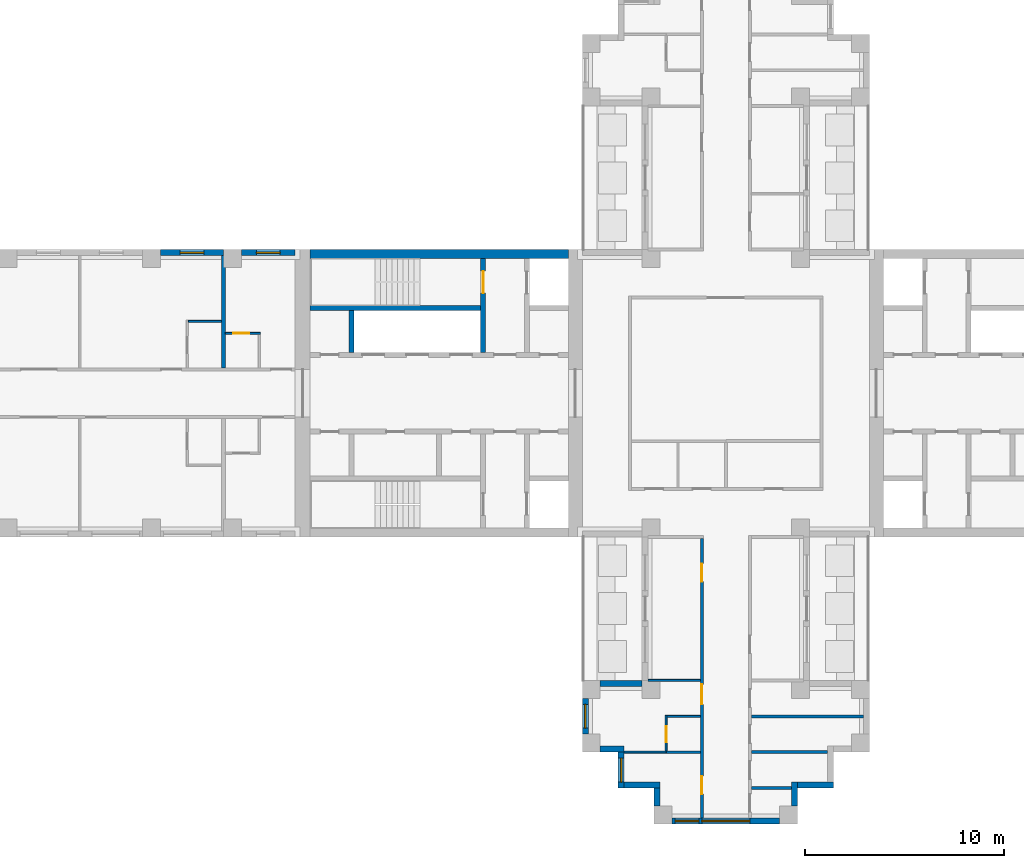
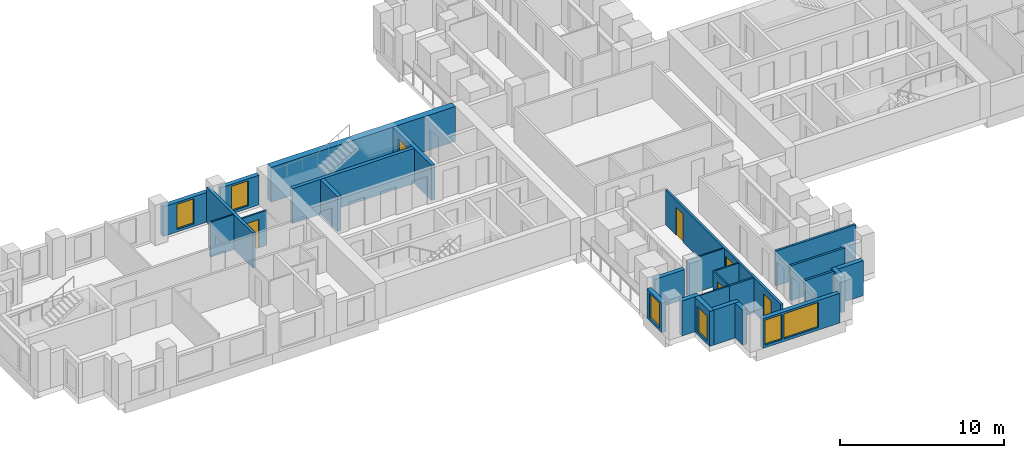
# One storey, part 4 of 11: 27 walls, 6 doors, 6 windows, 12 openings.
"""IFC4 building model written with IfcOpenShell, lengths in metres."""

from ifc_helpers import new_model, si_unit, direction, frame, frame_2d, origin, place, context, subcontext, project, spatial, rectangle, extrude, material, layer, layer_set, type_object, element, fill, save


model = new_model("IFC4")

# Units and contexts
model_context = context("Model", 3, precision=1e-05, world=origin(), true_north=direction((0.0, 1.0)))
body_context = subcontext(model_context, "Body", "Model", "MODEL_VIEW")
ifc_project = project(units=[si_unit("LENGTHUNIT", "METRE"), si_unit("AREAUNIT", "SQUARE_METRE"), si_unit("VOLUMEUNIT", "CUBIC_METRE"), si_unit("PLANEANGLEUNIT", "RADIAN"), si_unit("MASSUNIT", "GRAM", prefix="KILO")], contexts=[model_context])

# Site, building, storey
site_placement = place(None, origin())
site = spatial("IfcSite", under=ifc_project, at=site_placement, CompositionType="ELEMENT")
building_placement = place(site_placement, origin())
building = spatial("IfcBuilding", under=site, at=building_placement, Name="Fustian Cross Tower", CompositionType="ELEMENT")
storey_placement = place(building_placement, frame((0.0, 0.0, 126.300048828125)))
storey = spatial("IfcBuildingStorey", under=building, at=storey_placement, Name="L39", CompositionType="ELEMENT", Elevation=126.300048828125)

# Wall, openings, doors
ifc_material_1 = material(Name="Plasterboard on steel stud", Category="steel")
ifc_layer_1 = layer(ifc_material_1, 0.14990234375)
ifc_layer_set_1 = layer_set([ifc_layer_1], Name="Plasterboard on steel stud")
wall_type_1 = type_object("IfcWallType", Name="COMPARTMENT WALL 150 EI 60", PredefinedType="PARTITIONING", material=ifc_layer_set_1)
wall_1_placement = place(storey_placement, frame((-1.199951171875, -21.300048828125, 0.0), z_axis=(0.0, 0.0, 1.0), x_axis=(0.0, 1.0, 0.0)))
wall_1 = element("IfcWall", 1, at=wall_1_placement, inside=storey, type_object=wall_type_1, Name="Partition 32", PredefinedType="PARTITIONING", context=body_context, shape_type="SweptSolid", body=[
    extrude(rectangle(XDim=14.025146484375, YDim=0.14990234375, at=frame_2d((7.0126953125, 0.0))), origin(), (0.0, 0.0, 1.0), 2.599853515625),
])
opening_1_placement = place(wall_1_placement, frame((11.85009765625, 0.0, 0.0)))
opening_1 = element("IfcOpeningElement", 2, at=opening_1_placement, cuts=wall_1, Name="Opening D18038", PredefinedType="OPENING", context=body_context, shape_type="SweptSolid", body=[
    extrude(rectangle(XDim=0.89990234375, YDim=2.10009765625, at=frame_2d((0.449951171875, 1.050048828125))), frame((0.0, 0.0849609375, 0.0), z_axis=(0.0, -1.0, 0.0), x_axis=(1.0, 0.0, 0.0)), (0.0, 0.0, 1.0), 0.169921875),
])
opening_2_placement = place(wall_1_placement, frame((5.699951171875, 0.0, 0.0)))
opening_2 = element("IfcOpeningElement", 3, at=opening_2_placement, cuts=wall_1, Name="Opening D18040", PredefinedType="OPENING", context=body_context, shape_type="SweptSolid", body=[
    extrude(rectangle(XDim=1.0, YDim=2.10009765625, at=frame_2d((0.5, 1.050048828125))), frame((0.0, 0.0849609375, 0.0), z_axis=(0.0, -1.0, 0.0), x_axis=(1.0, 0.0, 0.0)), (0.0, 0.0, 1.0), 0.169921875),
])
opening_3_placement = place(wall_1_placement, frame((1.199951171875, 0.0, 0.0)))
opening_3 = element("IfcOpeningElement", 4, at=opening_3_placement, cuts=wall_1, Name="Opening D18041", PredefinedType="OPENING", context=body_context, shape_type="SweptSolid", body=[
    extrude(rectangle(XDim=0.89990234375, YDim=2.10009765625, at=frame_2d((0.449951171875, 1.050048828125))), frame((0.0, 0.0849609375, 0.0), z_axis=(0.0, -1.0, 0.0), x_axis=(1.0, 0.0, 0.0)), (0.0, 0.0, 1.0), 0.169921875),
])
ifc_material_2 = material(Name="Timber fire door set", Category="wood")
door_type_1 = type_object("IfcDoorType", Name="FIRE SWING DOOR 1000 FD30S", OperationType="SINGLE_SWING_LEFT", PredefinedType="DOOR", material=ifc_material_2)
door_1_placement = place(opening_2_placement, origin())
door_1 = element("IfcDoor", 5, at=door_1_placement, inside=storey, type_object=door_type_1, Name="Door D18040", OperationType="SINGLE_SWING_RIGHT", OverallHeight=2.10009765625, OverallWidth=1.0, PredefinedType="DOOR", context=body_context, shape_type="SweptSolid", body=[
    extrude(rectangle(XDim=1.0, YDim=2.10009765625, at=frame_2d((0.5, 1.050048828125))), frame((0.0, 0.02490234375, 0.0), z_axis=(0.0, -1.0, 0.0), x_axis=(1.0, 0.0, 0.0)), (0.0, 0.0, 1.0), 0.050048828125),
])
fill(opening_2, door_1)
ifc_material_3 = material(Name="Timber fire door set", Category="wood")
door_type_2 = type_object("IfcDoorType", Name="FIRE SWING DOOR 900 FD30S", OperationType="SINGLE_SWING_LEFT", PredefinedType="DOOR", material=ifc_material_3)
door_2_placement = place(opening_1_placement, origin())
door_2 = element("IfcDoor", 6, at=door_2_placement, inside=storey, type_object=door_type_2, Name="Door D18038", OperationType="SINGLE_SWING_RIGHT", OverallHeight=2.10009765625, OverallWidth=0.89990234375, PredefinedType="DOOR", context=body_context, shape_type="SweptSolid", body=[
    extrude(rectangle(XDim=0.89990234375, YDim=2.10009765625, at=frame_2d((0.449951171875, 1.050048828125))), frame((0.0, 0.02490234375, 0.0), z_axis=(0.0, -1.0, 0.0), x_axis=(1.0, 0.0, 0.0)), (0.0, 0.0, 1.0), 0.050048828125),
])
fill(opening_1, door_2)
door_3_placement = place(opening_3_placement, origin())
door_3 = element("IfcDoor", 7, at=door_3_placement, inside=storey, type_object=door_type_2, Name="Door D18041", OperationType="SINGLE_SWING_LEFT", OverallHeight=2.10009765625, OverallWidth=0.89990234375, PredefinedType="DOOR", context=body_context, shape_type="SweptSolid", body=[
    extrude(rectangle(XDim=0.89990234375, YDim=2.10009765625, at=frame_2d((0.449951171875, 1.050048828125))), frame((0.0, 0.02490234375, 0.0), z_axis=(0.0, -1.0, 0.0), x_axis=(1.0, 0.0, 0.0)), (0.0, 0.0, 1.0), 0.050048828125),
])
fill(opening_3, door_3)

# Walls
wall_2_placement = place(storey_placement, frame((1.27490234375, -19.800048828125, 0.0), z_axis=(0.0, 0.0, 1.0), x_axis=(1.0, 0.0, 0.0)))
element("IfcWall", 8, at=wall_2_placement, inside=storey, type_object=wall_type_1, Name="Partition 37", PredefinedType="PARTITIONING", context=body_context, shape_type="SweptSolid", body=[
    extrude(rectangle(XDim=2.025146484375, YDim=0.14990234375, at=frame_2d((1.0126953125, 0.0))), origin(), (0.0, 0.0, 1.0), 2.599853515625),
])
wall_3_placement = place(storey_placement, frame((1.27490234375, -18.0, 0.0), z_axis=(0.0, 0.0, 1.0), x_axis=(1.0, 0.0, 0.0)))
element("IfcWall", 9, at=wall_3_placement, inside=storey, type_object=wall_type_1, Name="Partition 38", PredefinedType="PARTITIONING", context=body_context, shape_type="SweptSolid", body=[
    extrude(rectangle(XDim=3.8251953125, YDim=0.14990234375, at=frame_2d((1.91259765625, 0.0))), origin(), (0.0, 0.0, 1.0), 2.599853515625),
])
wall_4_placement = place(storey_placement, frame((1.27490234375, -16.199951171875, 0.0), z_axis=(0.0, 0.0, 1.0), x_axis=(1.0, 0.0, 0.0)))
element("IfcWall", 10, at=wall_4_placement, inside=storey, type_object=wall_type_1, Name="Partition 39", PredefinedType="PARTITIONING", context=body_context, shape_type="SweptSolid", body=[
    extrude(rectangle(XDim=5.625, YDim=0.14990234375, at=frame_2d((2.8125, 0.0))), origin(), (0.0, 0.0, 1.0), 2.599853515625),
])
ifc_material_4 = material(Name="Concrete C60/75", Category="concrete")
ifc_layer_2 = layer(ifc_material_4, 0.449951171875)
ifc_layer_set_2 = layer_set([ifc_layer_2], Name="Concrete C60/75")
wall_type_2 = type_object("IfcWallType", Name="CORE FACADE WALL 450 C60/75", PredefinedType="SHEAR", material=ifc_layer_set_2)
wall_5_placement = place(storey_placement, frame((-7.89990234375, 6.97509765625, 0.0), z_axis=(0.0, 0.0, 1.0), x_axis=(-1.0, 0.0, 0.0)))
element("IfcWall", 11, at=wall_5_placement, inside=storey, type_object=wall_type_2, Name="Core facade wall", PredefinedType="SHEAR", context=body_context, shape_type="SweptSolid", body=[
    extrude(rectangle(XDim=12.9501953125, YDim=0.449951171875, at=frame_2d((6.47509765625, 0.0))), origin(), (0.0, 0.0, 1.0), 2.599853515625),
])
ifc_material_5 = material(Name="Concrete C50/60", Category="concrete")
ifc_layer_3 = layer(ifc_material_5, 0.25)
ifc_layer_set_3 = layer_set([ifc_layer_3], Name="Concrete C50/60")
wall_type_3 = type_object("IfcWallType", Name="CORE SHAFT WALL 250 C50/60", PredefinedType="SHEAR", material=ifc_layer_set_3)
wall_6_placement = place(storey_placement, frame((-12.300048828125, 4.27490234375, 0.0), z_axis=(0.0, 0.0, 1.0), x_axis=(-1.0, 0.0, 0.0)))
element("IfcWall", 12, at=wall_6_placement, inside=storey, type_object=wall_type_3, Name="Core shaft wall", PredefinedType="SHEAR", context=body_context, shape_type="SweptSolid", body=[
    extrude(rectangle(XDim=8.550048828125, YDim=0.25, at=frame_2d((4.27490234375, 0.0))), origin(), (0.0, 0.0, 1.0), 2.599853515625),
])

# Wall, opening, door
wall_7_placement = place(storey_placement, frame((-12.175048828125, 2.050048828125, 0.0), z_axis=(0.0, 0.0, 1.0), x_axis=(0.0, 1.0, 0.0)))
wall_7 = element("IfcWall", 13, at=wall_7_placement, inside=storey, type_object=wall_type_3, Name="Core shaft wall", PredefinedType="SHEAR", context=body_context, shape_type="SweptSolid", body=[
    extrude(rectangle(XDim=4.699951171875, YDim=0.25, at=frame_2d((2.35009765625, 0.0))), origin(), (0.0, 0.0, 1.0), 2.599853515625),
])
opening_4_placement = place(wall_7_placement, frame((2.97509765625, 0.0, 0.0)))
opening_4 = element("IfcOpeningElement", 14, at=opening_4_placement, cuts=wall_7, Name="Opening CD-16-23", PredefinedType="OPENING", context=body_context, shape_type="SweptSolid", body=[
    extrude(rectangle(XDim=1.10009765625, YDim=2.10009765625, at=frame_2d((0.550048828125, 1.050048828125))), frame((0.0, 0.135009765625, 0.0), z_axis=(0.0, -1.0, 0.0), x_axis=(1.0, 0.0, 0.0)), (0.0, 0.0, 1.0), 0.27001953125),
])
ifc_material_6 = material(Name="Steel", Category="steel")
door_type_3 = type_object("IfcDoorType", Name="FIRE DOOR FD60S 1100X2100", OperationType="SINGLE_SWING_LEFT", PredefinedType="DOOR", material=ifc_material_6)
door_4_placement = place(opening_4_placement, origin())
door_4 = element("IfcDoor", 15, at=door_4_placement, inside=storey, type_object=door_type_3, Name="Core door CD-16-23", OperationType="SINGLE_SWING_LEFT", OverallHeight=2.10009765625, OverallWidth=1.10009765625, PredefinedType="DOOR", context=body_context, shape_type="SweptSolid", body=[
    extrude(rectangle(XDim=1.10009765625, YDim=2.10009765625, at=frame_2d((0.550048828125, 1.050048828125))), frame((0.0, 0.02490234375, 0.0), z_axis=(0.0, -1.0, 0.0), x_axis=(1.0, 0.0, 0.0)), (0.0, 0.0, 1.0), 0.050048828125),
])
fill(opening_4, door_4)

# Wall
ifc_material_7 = material(Name="Plasterboard on steel stud", Category="steel")
ifc_layer_4 = layer(ifc_material_7, 0.10009765625)
ifc_layer_set_4 = layer_set([ifc_layer_4], Name="Plasterboard on steel stud")
wall_type_4 = type_object("IfcWallType", Name="PARTITION 100 STUD", PredefinedType="PARTITIONING", material=ifc_layer_set_4)
wall_8_placement = place(storey_placement, frame((-26.949951171875, 3.60009765625, 0.0), z_axis=(0.0, 0.0, 1.0), x_axis=(1.0, 0.0, 0.0)))
element("IfcWall", 16, at=wall_8_placement, inside=storey, type_object=wall_type_4, Name="Partition 8", PredefinedType="PARTITIONING", context=body_context, shape_type="SweptSolid", body=[
    extrude(rectangle(XDim=1.64990234375, YDim=0.10009765625, at=frame_2d((0.824951171875, 0.0))), origin(), (0.0, 0.0, 1.0), 2.599853515625),
])

# Wall, opening, door
wall_9_placement = place(storey_placement, frame((-25.10009765625, 3.0, 0.0), z_axis=(0.0, 0.0, 1.0), x_axis=(1.0, 0.0, 0.0)))
wall_9 = element("IfcWall", 17, at=wall_9_placement, inside=storey, type_object=wall_type_4, Name="Partition 12", PredefinedType="PARTITIONING", context=body_context, shape_type="SweptSolid", body=[
    extrude(rectangle(XDim=1.75, YDim=0.10009765625, at=frame_2d((0.875, 0.0))), origin(), (0.0, 0.0, 1.0), 2.599853515625),
])
opening_5_placement = place(wall_9_placement, frame((0.39990234375, 0.0, 0.0)))
opening_5 = element("IfcOpeningElement", 18, at=opening_5_placement, cuts=wall_9, Name="Opening D18028", PredefinedType="OPENING", context=body_context, shape_type="SweptSolid", body=[
    extrude(rectangle(XDim=0.800048828125, YDim=2.10009765625, at=frame_2d((0.39990234375, 1.050048828125))), frame((0.0, 0.06005859375, 0.0), z_axis=(0.0, -1.0, 0.0), x_axis=(1.0, 0.0, 0.0)), (0.0, 0.0, 1.0), 0.1201171875),
])
ifc_material_8 = material(Name="Painted timber", Category="wood")
door_type_4 = type_object("IfcDoorType", Name="SWING DOOR 800", OperationType="SINGLE_SWING_LEFT", PredefinedType="DOOR", material=ifc_material_8)
door_5_placement = place(opening_5_placement, frame((0.800048828125, 0.0, 0.0), z_axis=(0.0, 0.0, 1.0), x_axis=(-1.0, 0.0, 0.0)))
door_5 = element("IfcDoor", 19, at=door_5_placement, inside=storey, type_object=door_type_4, Name="Door D18028", OperationType="SINGLE_SWING_LEFT", OverallHeight=2.10009765625, OverallWidth=0.800048828125, PredefinedType="DOOR", context=body_context, shape_type="SweptSolid", body=[
    extrude(rectangle(XDim=0.800048828125, YDim=2.10009765625, at=frame_2d((0.39990234375, 1.050048828125))), frame((0.0, 0.02490234375, 0.0), z_axis=(0.0, -1.0, 0.0), x_axis=(1.0, 0.0, 0.0)), (0.0, 0.0, 1.0), 0.050048828125),
])
fill(opening_5, door_5)

# Walls
wall_10_placement = place(storey_placement, frame((-5.10009765625, -18.0, 0.0), z_axis=(0.0, 0.0, 1.0), x_axis=(1.0, 0.0, 0.0)))
element("IfcWall", 20, at=wall_10_placement, inside=storey, type_object=wall_type_4, Name="Partition 15", PredefinedType="PARTITIONING", context=body_context, shape_type="SweptSolid", body=[
    extrude(rectangle(XDim=2.10009765625, YDim=0.10009765625, at=frame_2d((1.050048828125, 0.0))), origin(), (0.0, 0.0, 1.0), 2.599853515625),
])
wall_11_placement = place(storey_placement, frame((-3.89990234375, -14.39990234375, 0.0), z_axis=(0.0, 0.0, 1.0), x_axis=(1.0, 0.0, 0.0)))
element("IfcWall", 21, at=wall_11_placement, inside=storey, type_object=wall_type_4, Name="Partition 21", PredefinedType="PARTITIONING", context=body_context, shape_type="SweptSolid", body=[
    extrude(rectangle(XDim=2.625, YDim=0.10009765625, at=frame_2d((1.3125, 0.0))), origin(), (0.0, 0.0, 1.0), 2.599853515625),
])

# Wall, opening, door
wall_12_placement = place(storey_placement, frame((-3.0, -17.9375, 0.0), z_axis=(0.0, 0.0, 1.0), x_axis=(0.0, 1.0, 0.0)))
wall_12 = element("IfcWall", 22, at=wall_12_placement, inside=storey, type_object=wall_type_4, Name="Partition 25", PredefinedType="PARTITIONING", context=body_context, shape_type="SweptSolid", body=[
    extrude(rectangle(XDim=1.78759765625, YDim=0.10009765625, at=frame_2d((0.893798828125, 0.0))), origin(), (0.0, 0.0, 1.0), 2.599853515625),
])
opening_6_placement = place(wall_12_placement, frame((0.4375, 0.0, 0.0)))
opening_6 = element("IfcOpeningElement", 23, at=opening_6_placement, cuts=wall_12, Name="Opening D18039", PredefinedType="OPENING", context=body_context, shape_type="SweptSolid", body=[
    extrude(rectangle(XDim=0.800048828125, YDim=2.10009765625, at=frame_2d((0.39990234375, 1.050048828125))), frame((0.0, 0.06005859375, 0.0), z_axis=(0.0, -1.0, 0.0), x_axis=(1.0, 0.0, 0.0)), (0.0, 0.0, 1.0), 0.1201171875),
])
door_6_placement = place(opening_6_placement, frame((0.800048828125, 0.0, 0.0), z_axis=(0.0, 0.0, 1.0), x_axis=(-1.0, 0.0, 0.0)))
door_6 = element("IfcDoor", 24, at=door_6_placement, inside=storey, type_object=door_type_4, Name="Door D18039", OperationType="SINGLE_SWING_LEFT", OverallHeight=2.10009765625, OverallWidth=0.800048828125, PredefinedType="DOOR", context=body_context, shape_type="SweptSolid", body=[
    extrude(rectangle(XDim=0.800048828125, YDim=2.10009765625, at=frame_2d((0.39990234375, 1.050048828125))), frame((0.0, 0.02490234375, 0.0), z_axis=(0.0, -1.0, 0.0), x_axis=(1.0, 0.0, 0.0)), (0.0, 0.0, 1.0), 0.050048828125),
])
fill(opening_6, door_6)

# Walls
wall_13_placement = place(storey_placement, frame((-2.949951171875, -16.199951171875, 0.0), z_axis=(0.0, 0.0, 1.0), x_axis=(1.0, 0.0, 0.0)))
element("IfcWall", 25, at=wall_13_placement, inside=storey, type_object=wall_type_4, Name="Partition 27", PredefinedType="PARTITIONING", context=body_context, shape_type="SweptSolid", body=[
    extrude(rectangle(XDim=1.675048828125, YDim=0.10009765625, at=frame_2d((0.83740234375, 0.0))), origin(), (0.0, 0.0, 1.0), 2.599853515625),
])
ifc_material_9 = material(Name="Plasterboard on steel stud", Category="steel")
ifc_layer_5 = layer(ifc_material_9, 0.199951171875)
ifc_layer_set_5 = layer_set([ifc_layer_5], Name="Plasterboard on steel stud")
wall_type_5 = type_object("IfcWallType", Name="PARTY WALL 200 EI 60", PredefinedType="PARTITIONING", material=ifc_layer_set_5)
wall_14_placement = place(storey_placement, frame((-25.199951171875, 1.27490234375, 0.0), z_axis=(0.0, 0.0, 1.0), x_axis=(0.0, 1.0, 0.0)))
element("IfcWall", 26, at=wall_14_placement, inside=storey, type_object=wall_type_5, Name="Partition 11", PredefinedType="PARTITIONING", context=body_context, shape_type="SweptSolid", body=[
    extrude(rectangle(XDim=5.625, YDim=0.199951171875, at=frame_2d((2.8125, 0.0))), origin(), (0.0, 0.0, 1.0), 2.599853515625),
])
ifc_material_10 = material(Name="Concrete C40/50", Category="concrete")
ifc_layer_6 = layer(ifc_material_10, 0.25)
ifc_layer_set_6 = layer_set([ifc_layer_6], Name="Concrete C40/50")
wall_type_6 = type_object("IfcWallType", Name="SHAFT PARTITION WALL 250 C40/50", PredefinedType="PARTITIONING", material=ifc_layer_set_6)
wall_15_placement = place(storey_placement, frame((-18.77490234375, 2.050048828125, 0.0), z_axis=(0.0, 0.0, 1.0), x_axis=(0.0, 1.0, 0.0)))
element("IfcWall", 27, at=wall_15_placement, inside=storey, type_object=wall_type_6, Name="Core shaft wall", PredefinedType="PARTITIONING", context=body_context, shape_type="SweptSolid", body=[
    extrude(rectangle(XDim=2.099853515625, YDim=0.25, at=frame_2d((1.0498046875, 0.0))), origin(), (0.0, 0.0, 1.0), 2.599853515625),
])
ifc_material_11 = material(Name="Plasterboard on steel stud", Category="steel")
ifc_layer_7 = layer(ifc_material_11, 0.125)
ifc_layer_set_7 = layer_set([ifc_layer_7], Name="Plasterboard on steel stud")
wall_type_7 = type_object("IfcWallType", Name="WET WALL 125 STUD", PredefinedType="PARTITIONING", material=ifc_layer_set_7)
wall_16_placement = place(storey_placement, frame((-3.0, -18.0, 0.0), z_axis=(0.0, 0.0, 1.0), x_axis=(1.0, 0.0, 0.0)))
element("IfcWall", 28, at=wall_16_placement, inside=storey, type_object=wall_type_7, Name="Partition 26", PredefinedType="PARTITIONING", context=body_context, shape_type="SweptSolid", body=[
    extrude(rectangle(XDim=1.72509765625, YDim=0.125, at=frame_2d((0.862548828125, 0.0))), origin(), (0.0, 0.0, 1.0), 2.599853515625),
])

# Wall, opening, window
ifc_material_12 = material(Name="Dark aluminium cladding on insulated backing wall", Category="aluminium")
ifc_layer_8 = layer(ifc_material_12, 0.300048828125)
ifc_layer_set_8 = layer_set([ifc_layer_8], Name="Dark aluminium cladding on insulated backing wall")
wall_type_8 = type_object("IfcWallType", Name="XW1 EXTERNAL WALL 300", PredefinedType="SOLIDWALL", material=ifc_layer_set_8)
wall_17_placement = place(storey_placement, frame((-21.60009765625, 7.050048828125, 0.0), z_axis=(0.0, 0.0, 1.0), x_axis=(-1.0, 0.0, 0.0)))
wall_17 = element("IfcWall", 29, at=wall_17_placement, inside=storey, type_object=wall_type_8, Name="External wall", PredefinedType="SOLIDWALL", context=body_context, shape_type="SweptSolid", body=[
    extrude(rectangle(XDim=2.699951171875, YDim=0.300048828125, at=frame_2d((1.35009765625, 0.0))), origin(), (0.0, 0.0, 1.0), 2.199951171875),
])
opening_7_placement = place(wall_17_placement, frame((0.75, 0.0, 0.199951171875)))
opening_7 = element("IfcOpeningElement", 30, at=opening_7_placement, cuts=wall_17, Name="Opening WN3", PredefinedType="OPENING", context=body_context, shape_type="SweptSolid", body=[
    extrude(rectangle(XDim=1.199951171875, YDim=1.85009765625, at=frame_2d((0.60009765625, 0.925048828125))), frame((0.0, 0.159912109375, 0.0), z_axis=(0.0, -1.0, 0.0), x_axis=(1.0, 0.0, 0.0)), (0.0, 0.0, 1.0), 0.320068359375),
])
ifc_material_13 = material(Name="Dark anodised aluminium and double glazing", Category="aluminium")
window_type_1 = type_object("IfcWindowType", Name="WN3 WINDOW 1200X1850", PartitioningType="SINGLE_PANEL", PredefinedType="WINDOW", material=ifc_material_13)
window_1_placement = place(opening_7_placement, origin())
window_1 = element("IfcWindow", 31, at=window_1_placement, inside=storey, type_object=window_type_1, Name="Window", OverallHeight=1.85009765625, OverallWidth=1.199951171875, PartitioningType="SINGLE_PANEL", PredefinedType="WINDOW", context=body_context, shape_type="SweptSolid", body=[
    extrude(rectangle(XDim=1.199951171875, YDim=1.85009765625, at=frame_2d((0.60009765625, 0.925048828125))), frame((0.0, 0.030029296875, 0.0), z_axis=(0.0, -1.0, 0.0), x_axis=(1.0, 0.0, 0.0)), (0.0, 0.0, 1.0), 0.06005859375),
])
fill(opening_7, window_1)

wall_18_placement = place(storey_placement, frame((-25.199951171875, 7.050048828125, 0.0), z_axis=(0.0, 0.0, 1.0), x_axis=(-1.0, 0.0, 0.0)))
wall_18 = element("IfcWall", 32, at=wall_18_placement, inside=storey, type_object=wall_type_8, Name="External wall", PredefinedType="SOLIDWALL", context=body_context, shape_type="SweptSolid", body=[
    extrude(rectangle(XDim=3.150146484375, YDim=0.300048828125, at=frame_2d((1.5751953125, 0.0))), origin(), (0.0, 0.0, 1.0), 2.199951171875),
])
opening_8_placement = place(wall_18_placement, frame((0.97509765625, 0.0, 0.199951171875)))
opening_8 = element("IfcOpeningElement", 33, at=opening_8_placement, cuts=wall_18, Name="Opening WN3", PredefinedType="OPENING", context=body_context, shape_type="SweptSolid", body=[
    extrude(rectangle(XDim=1.199951171875, YDim=1.85009765625, at=frame_2d((0.60009765625, 0.925048828125))), frame((0.0, 0.159912109375, 0.0), z_axis=(0.0, -1.0, 0.0), x_axis=(1.0, 0.0, 0.0)), (0.0, 0.0, 1.0), 0.320068359375),
])
window_2_placement = place(opening_8_placement, origin())
window_2 = element("IfcWindow", 34, at=window_2_placement, inside=storey, type_object=window_type_1, Name="Window", OverallHeight=1.85009765625, OverallWidth=1.199951171875, PartitioningType="SINGLE_PANEL", PredefinedType="WINDOW", context=body_context, shape_type="SweptSolid", body=[
    extrude(rectangle(XDim=1.199951171875, YDim=1.85009765625, at=frame_2d((0.60009765625, 0.925048828125))), frame((0.0, 0.030029296875, 0.0), z_axis=(0.0, -1.0, 0.0), x_axis=(1.0, 0.0, 0.0)), (0.0, 0.0, 1.0), 0.06005859375),
])
fill(opening_8, window_2)

# Wall
wall_19_placement = place(storey_placement, frame((-4.199951171875, -14.550048828125, 0.0), z_axis=(0.0, 0.0, 1.0), x_axis=(-1.0, 0.0, 0.0)))
element("IfcWall", 35, at=wall_19_placement, inside=storey, type_object=wall_type_8, Name="External wall", PredefinedType="SOLIDWALL", context=body_context, shape_type="SweptSolid", body=[
    extrude(rectangle(XDim=2.10009765625, YDim=0.300048828125, at=frame_2d((1.050048828125, 0.0))), origin(), (0.0, 0.0, 1.0), 2.199951171875),
])

# Wall, opening, window
wall_20_placement = place(storey_placement, frame((-7.050048828125, -15.300048828125, 0.0), z_axis=(0.0, 0.0, 1.0), x_axis=(0.0, -1.0, 0.0)))
wall_20 = element("IfcWall", 36, at=wall_20_placement, inside=storey, type_object=wall_type_8, Name="External wall", PredefinedType="SOLIDWALL", context=body_context, shape_type="SweptSolid", body=[
    extrude(rectangle(XDim=1.800048828125, YDim=0.300048828125, at=frame_2d((0.89990234375, 0.0))), origin(), (0.0, 0.0, 1.0), 2.199951171875),
])
opening_9_placement = place(wall_20_placement, frame((0.300048828125, 0.0, 0.199951171875)))
opening_9 = element("IfcOpeningElement", 37, at=opening_9_placement, cuts=wall_20, Name="Opening WN3", PredefinedType="OPENING", context=body_context, shape_type="SweptSolid", body=[
    extrude(rectangle(XDim=1.199951171875, YDim=1.85009765625, at=frame_2d((0.60009765625, 0.925048828125))), frame((0.0, 0.159912109375, 0.0), z_axis=(0.0, -1.0, 0.0), x_axis=(1.0, 0.0, 0.0)), (0.0, 0.0, 1.0), 0.320068359375),
])
window_3_placement = place(opening_9_placement, origin())
window_3 = element("IfcWindow", 38, at=window_3_placement, inside=storey, type_object=window_type_1, Name="Window", OverallHeight=1.85009765625, OverallWidth=1.199951171875, PartitioningType="SINGLE_PANEL", PredefinedType="WINDOW", context=body_context, shape_type="SweptSolid", body=[
    extrude(rectangle(XDim=1.199951171875, YDim=1.85009765625, at=frame_2d((0.60009765625, 0.925048828125))), frame((0.0, 0.030029296875, 0.0), z_axis=(0.0, -1.0, 0.0), x_axis=(1.0, 0.0, 0.0)), (0.0, 0.0, 1.0), 0.06005859375),
])
fill(opening_9, window_3)

# Wall
wall_21_placement = place(storey_placement, frame((-6.300048828125, -17.85009765625, 0.0), z_axis=(0.0, 0.0, 1.0), x_axis=(1.0, 0.0, 0.0)))
element("IfcWall", 39, at=wall_21_placement, inside=storey, type_object=wall_type_8, Name="External wall", PredefinedType="SOLIDWALL", context=body_context, shape_type="SweptSolid", body=[
    extrude(rectangle(XDim=1.199951171875, YDim=0.300048828125, at=frame_2d((0.60009765625, 0.0))), origin(), (0.0, 0.0, 1.0), 2.599853515625),
])

# Wall, opening, window
wall_22_placement = place(storey_placement, frame((-5.25, -18.0, 0.0), z_axis=(0.0, 0.0, 1.0), x_axis=(0.0, -1.0, 0.0)))
wall_22 = element("IfcWall", 40, at=wall_22_placement, inside=storey, type_object=wall_type_8, Name="External wall", PredefinedType="SOLIDWALL", context=body_context, shape_type="SweptSolid", body=[
    extrude(rectangle(XDim=1.800048828125, YDim=0.300048828125, at=frame_2d((0.89990234375, 0.0))), origin(), (0.0, 0.0, 1.0), 2.599853515625),
])
opening_10_placement = place(wall_22_placement, frame((0.300048828125, 0.0, 0.199951171875)))
opening_10 = element("IfcOpeningElement", 41, at=opening_10_placement, cuts=wall_22, Name="Opening WN3", PredefinedType="OPENING", context=body_context, shape_type="SweptSolid", body=[
    extrude(rectangle(XDim=1.199951171875, YDim=1.85009765625, at=frame_2d((0.60009765625, 0.925048828125))), frame((0.0, 0.159912109375, 0.0), z_axis=(0.0, -1.0, 0.0), x_axis=(1.0, 0.0, 0.0)), (0.0, 0.0, 1.0), 0.320068359375),
])
window_4_placement = place(opening_10_placement, origin())
window_4 = element("IfcWindow", 42, at=window_4_placement, inside=storey, type_object=window_type_1, Name="Window", OverallHeight=1.85009765625, OverallWidth=1.199951171875, PartitioningType="SINGLE_PANEL", PredefinedType="WINDOW", context=body_context, shape_type="SweptSolid", body=[
    extrude(rectangle(XDim=1.199951171875, YDim=1.85009765625, at=frame_2d((0.60009765625, 0.925048828125))), frame((0.0, 0.030029296875, 0.0), z_axis=(0.0, -1.0, 0.0), x_axis=(1.0, 0.0, 0.0)), (0.0, 0.0, 1.0), 0.06005859375),
])
fill(opening_10, window_4)

# Walls
wall_23_placement = place(storey_placement, frame((-5.10009765625, -19.64990234375, 0.0), z_axis=(0.0, 0.0, 1.0), x_axis=(1.0, 0.0, 0.0)))
element("IfcWall", 43, at=wall_23_placement, inside=storey, type_object=wall_type_8, Name="External wall", PredefinedType="SOLIDWALL", context=body_context, shape_type="SweptSolid", body=[
    extrude(rectangle(XDim=1.800048828125, YDim=0.300048828125, at=frame_2d((0.89990234375, 0.0))), origin(), (0.0, 0.0, 1.0), 2.599853515625),
])
wall_24_placement = place(storey_placement, frame((-3.449951171875, -19.800048828125, 0.0), z_axis=(0.0, 0.0, 1.0), x_axis=(0.0, -1.0, 0.0)))
element("IfcWall", 44, at=wall_24_placement, inside=storey, type_object=wall_type_8, Name="External wall", PredefinedType="SOLIDWALL", context=body_context, shape_type="SweptSolid", body=[
    extrude(rectangle(XDim=0.89990234375, YDim=0.300048828125, at=frame_2d((0.449951171875, 0.0))), origin(), (0.0, 0.0, 1.0), 2.599853515625),
])

# Wall, openings, windows
wall_25_placement = place(storey_placement, frame((-2.699951171875, -21.449951171875, 0.0), z_axis=(0.0, 0.0, 1.0), x_axis=(1.0, 0.0, 0.0)))
wall_25 = element("IfcWall", 45, at=wall_25_placement, inside=storey, type_object=wall_type_8, Name="External wall", PredefinedType="SOLIDWALL", context=body_context, shape_type="SweptSolid", body=[
    extrude(rectangle(XDim=5.39990234375, YDim=0.300048828125, at=frame_2d((2.699951171875, 0.0))), origin(), (0.0, 0.0, 1.0), 2.199951171875),
])
opening_11_placement = place(wall_25_placement, frame((1.5, 0.0, 0.199951171875)))
opening_11 = element("IfcOpeningElement", 46, at=opening_11_placement, cuts=wall_25, Name="Opening WN1", PredefinedType="OPENING", context=body_context, shape_type="SweptSolid", body=[
    extrude(rectangle(XDim=2.39990234375, YDim=1.85009765625, at=frame_2d((1.199951171875, 0.925048828125))), frame((0.0, 0.159912109375, 0.0), z_axis=(0.0, -1.0, 0.0), x_axis=(1.0, 0.0, 0.0)), (0.0, 0.0, 1.0), 0.320068359375),
])
opening_12_placement = place(wall_25_placement, frame((0.14990234375, 0.0, 0.199951171875)))
opening_12 = element("IfcOpeningElement", 47, at=opening_12_placement, cuts=wall_25, Name="Opening WN3", PredefinedType="OPENING", context=body_context, shape_type="SweptSolid", body=[
    extrude(rectangle(XDim=1.199951171875, YDim=1.85009765625, at=frame_2d((0.60009765625, 0.925048828125))), frame((0.0, 0.159912109375, 0.0), z_axis=(0.0, -1.0, 0.0), x_axis=(1.0, 0.0, 0.0)), (0.0, 0.0, 1.0), 0.320068359375),
])
ifc_material_14 = material(Name="Dark anodised aluminium and double glazing", Category="aluminium")
window_type_2 = type_object("IfcWindowType", Name="WN1 WINDOW 2400X1850", PartitioningType="SINGLE_PANEL", PredefinedType="WINDOW", material=ifc_material_14)
window_5_placement = place(opening_11_placement, origin())
window_5 = element("IfcWindow", 48, at=window_5_placement, inside=storey, type_object=window_type_2, Name="Window", OverallHeight=1.85009765625, OverallWidth=2.39990234375, PartitioningType="SINGLE_PANEL", PredefinedType="WINDOW", context=body_context, shape_type="SweptSolid", body=[
    extrude(rectangle(XDim=2.39990234375, YDim=1.85009765625, at=frame_2d((1.199951171875, 0.925048828125))), frame((0.0, 0.030029296875, 0.0), z_axis=(0.0, -1.0, 0.0), x_axis=(1.0, 0.0, 0.0)), (0.0, 0.0, 1.0), 0.06005859375),
])
fill(opening_11, window_5)
window_6_placement = place(opening_12_placement, origin())
window_6 = element("IfcWindow", 49, at=window_6_placement, inside=storey, type_object=window_type_1, Name="Window", OverallHeight=1.85009765625, OverallWidth=1.199951171875, PartitioningType="SINGLE_PANEL", PredefinedType="WINDOW", context=body_context, shape_type="SweptSolid", body=[
    extrude(rectangle(XDim=1.199951171875, YDim=1.85009765625, at=frame_2d((0.60009765625, 0.925048828125))), frame((0.0, 0.030029296875, 0.0), z_axis=(0.0, -1.0, 0.0), x_axis=(1.0, 0.0, 0.0)), (0.0, 0.0, 1.0), 0.06005859375),
])
fill(opening_12, window_6)

# Walls
wall_26_placement = place(storey_placement, frame((3.449951171875, -20.699951171875, 0.0), z_axis=(0.0, 0.0, 1.0), x_axis=(0.0, 1.0, 0.0)))
element("IfcWall", 50, at=wall_26_placement, inside=storey, type_object=wall_type_8, Name="External wall", PredefinedType="SOLIDWALL", context=body_context, shape_type="SweptSolid", body=[
    extrude(rectangle(XDim=1.199951171875, YDim=0.300048828125, at=frame_2d((0.60009765625, 0.0))), origin(), (0.0, 0.0, 1.0), 2.599853515625),
])
wall_27_placement = place(storey_placement, frame((3.60009765625, -19.64990234375, 0.0), z_axis=(0.0, 0.0, 1.0), x_axis=(1.0, 0.0, 0.0)))
element("IfcWall", 51, at=wall_27_placement, inside=storey, type_object=wall_type_8, Name="External wall", PredefinedType="SOLIDWALL", context=body_context, shape_type="SweptSolid", body=[
    extrude(rectangle(XDim=1.7998046875, YDim=0.300048828125, at=frame_2d((0.89990234375, 0.0))), origin(), (0.0, 0.0, 1.0), 2.599853515625),
])

save(model, "model.ifc")
